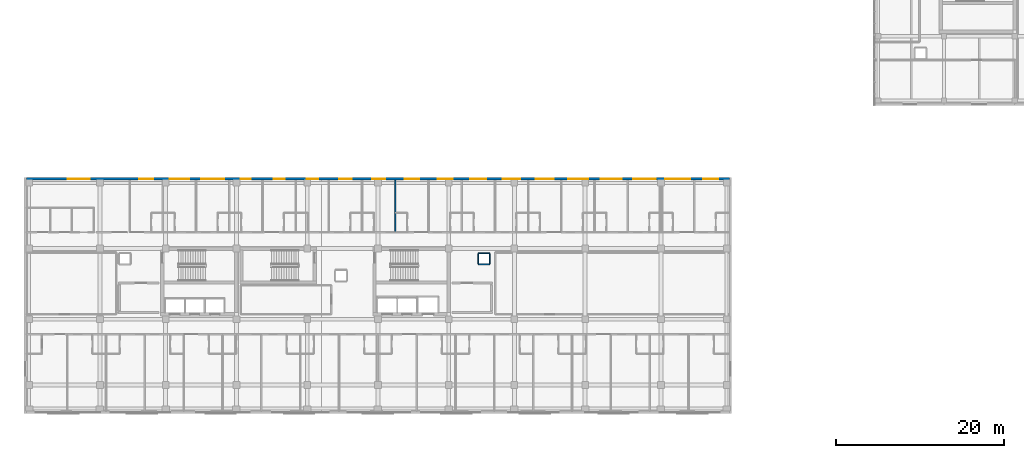
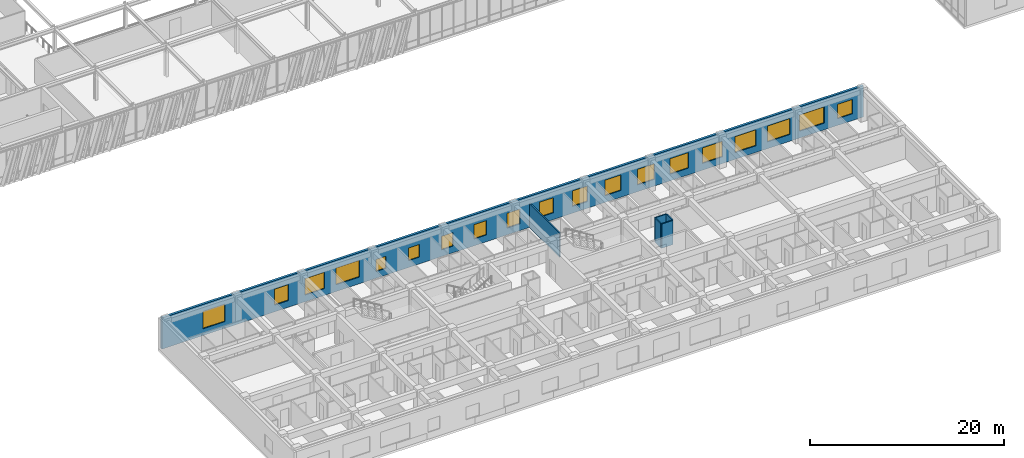
# One storey, part 108 of 123: 19 windows, 6 walls, 19 openings.
"""IFC4 building model written with IfcOpenShell, lengths in metres."""

from ifc_helpers import new_model, si_unit, direction, frame, frame_2d, origin, place, context, subcontext, project, spatial, rectangle, extrude, material, layer, layer_set, type_object, element, fill, save


model = new_model("IFC4")

# Units and contexts
model_context = context("Model", 3, precision=1e-05, world=origin(), true_north=direction((0.0, 1.0)))
body_context = subcontext(model_context, "Body", "Model", "MODEL_VIEW")
ifc_project = project(units=[si_unit("LENGTHUNIT", "METRE"), si_unit("AREAUNIT", "SQUARE_METRE"), si_unit("VOLUMEUNIT", "CUBIC_METRE"), si_unit("PLANEANGLEUNIT", "RADIAN"), si_unit("MASSUNIT", "GRAM", prefix="KILO")], contexts=[model_context])

# Site, building, storey
site_placement = place(None, origin())
site = spatial("IfcSite", under=ifc_project, at=site_placement, CompositionType="ELEMENT")
building_placement = place(site_placement, origin())
building = spatial("IfcBuilding", under=site, at=building_placement, Name="Zayran Congress Hotel", CompositionType="ELEMENT")
storey_placement = place(building_placement, frame((0.0, 0.0, 15.0)))
storey = spatial("IfcBuildingStorey", under=building, at=storey_placement, Name="L03", CompositionType="ELEMENT", Elevation=15.0)

# Wall, openings, windows
ifc_material_1 = material(Name="Hajar Ma'ani limestone cavity wall and concrete C32/40", Category="masonry")
ifc_layer_1 = layer(ifc_material_1, 0.280029296875)
ifc_layer_set_1 = layer_set([ifc_layer_1], Name="Hajar Ma'ani limestone cavity wall and concrete C32/40")
wall_type_1 = type_object("IfcWallType", Name="WL-EX-280", PredefinedType="SOLIDWALL", material=ifc_layer_set_1)
wall_1_placement = place(storey_placement, frame((8.679931640625, 33.860107421875, 0.0), z_axis=(0.0, 0.0, 1.0), x_axis=(1.0, 0.0, 0.0)))
wall_1 = element("IfcWall", 1, at=wall_1_placement, inside=storey, type_object=wall_type_1, Name="EW-V5-N-L03", PredefinedType="SOLIDWALL", context=body_context, shape_type="SweptSolid", body=[
    extrude(rectangle(XDim=83.440185546875, YDim=0.280029296875, at=frame_2d((41.72021484375, 0.0))), origin(), (0.0, 0.0, 1.0), 3.919921875),
])
opening_1_placement = place(wall_1_placement, frame((4.89501953125, 0.0, 0.85009765625)))
opening_1 = element("IfcOpeningElement", 2, at=opening_1_placement, cuts=wall_1, Name="Opening WN-19", PredefinedType="OPENING", context=body_context, shape_type="SweptSolid", body=[
    extrude(rectangle(XDim=2.60009765625, YDim=2.199951171875, at=frame_2d((1.300048828125, 1.10009765625))), frame((0.0, 0.14990234375, 0.0), z_axis=(0.0, -1.0, 0.0), x_axis=(1.0, 0.0, 0.0)), (0.0, 0.0, 1.0), 0.300048828125),
])
opening_2_placement = place(wall_1_placement, frame((13.37109375, 0.0, 0.85009765625)))
opening_2 = element("IfcOpeningElement", 3, at=opening_2_placement, cuts=wall_1, Name="Opening WN-27", PredefinedType="OPENING", context=body_context, shape_type="SweptSolid", body=[
    extrude(rectangle(XDim=1.699951171875, YDim=2.0, at=frame_2d((0.85009765625, 1.0))), frame((0.0, 0.14990234375, 0.0), z_axis=(0.0, -1.0, 0.0), x_axis=(1.0, 0.0, 0.0)), (0.0, 0.0, 1.0), 0.300048828125),
])
opening_3_placement = place(wall_1_placement, frame((17.014892578125, 0.0, 0.85009765625)))
opening_3 = element("IfcOpeningElement", 4, at=opening_3_placement, cuts=wall_1, Name="Opening WN-28", PredefinedType="OPENING", context=body_context, shape_type="SweptSolid", body=[
    extrude(rectangle(XDim=2.300048828125, YDim=2.050048828125, at=frame_2d((1.14990234375, 1.02490234375))), frame((0.0, 0.14990234375, 0.0), z_axis=(0.0, -1.0, 0.0), x_axis=(1.0, 0.0, 0.0)), (0.0, 0.0, 1.0), 0.300048828125),
])
opening_4_placement = place(wall_1_placement, frame((20.73193359375, 0.0, 0.85009765625)))
opening_4 = element("IfcOpeningElement", 5, at=opening_4_placement, cuts=wall_1, Name="Opening WN-29", PredefinedType="OPENING", context=body_context, shape_type="SweptSolid", body=[
    extrude(rectangle(XDim=2.75, YDim=2.10009765625, at=frame_2d((1.375, 1.050048828125))), frame((0.0, 0.14990234375, 0.0), z_axis=(0.0, -1.0, 0.0), x_axis=(1.0, 0.0, 0.0)), (0.0, 0.0, 1.0), 0.300048828125),
])
opening_5_placement = place(wall_1_placement, frame((25.4599609375, 0.0, 0.85009765625)))
opening_5 = element("IfcOpeningElement", 6, at=opening_5_placement, cuts=wall_1, Name="Opening WN-31", PredefinedType="OPENING", context=body_context, shape_type="SweptSolid", body=[
    extrude(rectangle(XDim=1.179931640625, YDim=1.5, at=frame_2d((0.58984375, 0.75))), frame((0.0, 0.14990234375, 0.0), z_axis=(0.0, -1.0, 0.0), x_axis=(1.0, 0.0, 0.0)), (0.0, 0.0, 1.0), 0.300048828125),
])
opening_6_placement = place(wall_1_placement, frame((29.35205078125, 0.0, 0.85009765625)))
opening_6 = element("IfcOpeningElement", 7, at=opening_6_placement, cuts=wall_1, Name="Opening WN-32", PredefinedType="OPENING", context=body_context, shape_type="SweptSolid", body=[
    extrude(rectangle(XDim=1.280029296875, YDim=1.60009765625, at=frame_2d((0.64013671875, 0.800048828125))), frame((0.0, 0.14990234375, 0.0), z_axis=(0.0, -1.0, 0.0), x_axis=(1.0, 0.0, 0.0)), (0.0, 0.0, 1.0), 0.300048828125),
])
opening_7_placement = place(wall_1_placement, frame((33.2451171875, 0.0, 0.85009765625)))
opening_7 = element("IfcOpeningElement", 8, at=opening_7_placement, cuts=wall_1, Name="Opening WN-33", PredefinedType="OPENING", context=body_context, shape_type="SweptSolid", body=[
    extrude(rectangle(XDim=1.3798828125, YDim=1.699951171875, at=frame_2d((0.68994140625, 0.85009765625))), frame((0.0, 0.14990234375, 0.0), z_axis=(0.0, -1.0, 0.0), x_axis=(1.0, 0.0, 0.0)), (0.0, 0.0, 1.0), 0.300048828125),
])
opening_8_placement = place(wall_1_placement, frame((37.137939453125, 0.0, 0.85009765625)))
opening_8 = element("IfcOpeningElement", 9, at=opening_8_placement, cuts=wall_1, Name="Opening WN-34", PredefinedType="OPENING", context=body_context, shape_type="SweptSolid", body=[
    extrude(rectangle(XDim=1.47998046875, YDim=1.800048828125, at=frame_2d((0.739990234375, 0.89990234375))), frame((0.0, 0.14990234375, 0.0), z_axis=(0.0, -1.0, 0.0), x_axis=(1.0, 0.0, 0.0)), (0.0, 0.0, 1.0), 0.300048828125),
])
opening_9_placement = place(wall_1_placement, frame((41.031005859375, 0.0, 0.85009765625)))
opening_9 = element("IfcOpeningElement", 10, at=opening_9_placement, cuts=wall_1, Name="Opening WN-35", PredefinedType="OPENING", context=body_context, shape_type="SweptSolid", body=[
    extrude(rectangle(XDim=1.580078125, YDim=1.85009765625, at=frame_2d((0.7900390625, 0.925048828125))), frame((0.0, 0.14990234375, 0.0), z_axis=(0.0, -1.0, 0.0), x_axis=(1.0, 0.0, 0.0)), (0.0, 0.0, 1.0), 0.300048828125),
])
opening_10_placement = place(wall_1_placement, frame((44.923095703125, 0.0, 0.85009765625)))
opening_10 = element("IfcOpeningElement", 11, at=opening_10_placement, cuts=wall_1, Name="Opening WN-36", PredefinedType="OPENING", context=body_context, shape_type="SweptSolid", body=[
    extrude(rectangle(XDim=1.679931640625, YDim=1.89990234375, at=frame_2d((0.83984375, 0.949951171875))), frame((0.0, 0.14990234375, 0.0), z_axis=(0.0, -1.0, 0.0), x_axis=(1.0, 0.0, 0.0)), (0.0, 0.0, 1.0), 0.300048828125),
])
opening_11_placement = place(wall_1_placement, frame((48.81591796875, 0.0, 0.85009765625)))
opening_11 = element("IfcOpeningElement", 12, at=opening_11_placement, cuts=wall_1, Name="Opening WN-37", PredefinedType="OPENING", context=body_context, shape_type="SweptSolid", body=[
    extrude(rectangle(XDim=1.780029296875, YDim=1.949951171875, at=frame_2d((0.89013671875, 0.97509765625))), frame((0.0, 0.14990234375, 0.0), z_axis=(0.0, -1.0, 0.0), x_axis=(1.0, 0.0, 0.0)), (0.0, 0.0, 1.0), 0.300048828125),
])
opening_12_placement = place(wall_1_placement, frame((52.7099609375, 0.0, 0.85009765625)))
opening_12 = element("IfcOpeningElement", 13, at=opening_12_placement, cuts=wall_1, Name="Opening WN-38", PredefinedType="OPENING", context=body_context, shape_type="SweptSolid", body=[
    extrude(rectangle(XDim=1.8798828125, YDim=1.949951171875, at=frame_2d((0.93994140625, 0.97509765625))), frame((0.0, 0.14990234375, 0.0), z_axis=(0.0, -1.0, 0.0), x_axis=(1.0, 0.0, 0.0)), (0.0, 0.0, 1.0), 0.300048828125),
])
opening_13_placement = place(wall_1_placement, frame((56.56689453125, 0.0, 0.85009765625)))
opening_13 = element("IfcOpeningElement", 14, at=opening_13_placement, cuts=wall_1, Name="Opening WN-39", PredefinedType="OPENING", context=body_context, shape_type="SweptSolid", body=[
    extrude(rectangle(XDim=2.050048828125, YDim=1.949951171875, at=frame_2d((1.02490234375, 0.97509765625))), frame((0.0, 0.14990234375, 0.0), z_axis=(0.0, -1.0, 0.0), x_axis=(1.0, 0.0, 0.0)), (0.0, 0.0, 1.0), 0.300048828125),
])
opening_14_placement = place(wall_1_placement, frame((60.444091796875, 0.0, 0.85009765625)))
opening_14 = element("IfcOpeningElement", 15, at=opening_14_placement, cuts=wall_1, Name="Opening WN-40", PredefinedType="OPENING", context=body_context, shape_type="SweptSolid", body=[
    extrude(rectangle(XDim=2.179931640625, YDim=1.949951171875, at=frame_2d((1.08984375, 0.97509765625))), frame((0.0, 0.14990234375, 0.0), z_axis=(0.0, -1.0, 0.0), x_axis=(1.0, 0.0, 0.0)), (0.0, 0.0, 1.0), 0.300048828125),
])
opening_15_placement = place(wall_1_placement, frame((64.287109375, 0.0, 0.85009765625)))
opening_15 = element("IfcOpeningElement", 16, at=opening_15_placement, cuts=wall_1, Name="Opening WN-41", PredefinedType="OPENING", context=body_context, shape_type="SweptSolid", body=[
    extrude(rectangle(XDim=2.3798828125, YDim=1.949951171875, at=frame_2d((1.18994140625, 0.97509765625))), frame((0.0, 0.14990234375, 0.0), z_axis=(0.0, -1.0, 0.0), x_axis=(1.0, 0.0, 0.0)), (0.0, 0.0, 1.0), 0.300048828125),
])
opening_16_placement = place(wall_1_placement, frame((68.180908203125, 0.0, 0.85009765625)))
opening_16 = element("IfcOpeningElement", 17, at=opening_16_placement, cuts=wall_1, Name="Opening WN-42", PredefinedType="OPENING", context=body_context, shape_type="SweptSolid", body=[
    extrude(rectangle(XDim=2.47998046875, YDim=2.0, at=frame_2d((1.239990234375, 1.0))), frame((0.0, 0.14990234375, 0.0), z_axis=(0.0, -1.0, 0.0), x_axis=(1.0, 0.0, 0.0)), (0.0, 0.0, 1.0), 0.300048828125),
])
opening_17_placement = place(wall_1_placement, frame((72.0380859375, 0.0, 0.85009765625)))
opening_17 = element("IfcOpeningElement", 18, at=opening_17_placement, cuts=wall_1, Name="Opening WN-43", PredefinedType="OPENING", context=body_context, shape_type="SweptSolid", body=[
    extrude(rectangle(XDim=2.64990234375, YDim=2.0, at=frame_2d((1.324951171875, 1.0))), frame((0.0, 0.14990234375, 0.0), z_axis=(0.0, -1.0, 0.0), x_axis=(1.0, 0.0, 0.0)), (0.0, 0.0, 1.0), 0.300048828125),
])
opening_18_placement = place(wall_1_placement, frame((75.8310546875, 0.0, 0.85009765625)))
opening_18 = element("IfcOpeningElement", 19, at=opening_18_placement, cuts=wall_1, Name="Opening WN-44", PredefinedType="OPENING", context=body_context, shape_type="SweptSolid", body=[
    extrude(rectangle(XDim=2.949951171875, YDim=2.050048828125, at=frame_2d((1.47509765625, 1.02490234375))), frame((0.0, 0.14990234375, 0.0), z_axis=(0.0, -1.0, 0.0), x_axis=(1.0, 0.0, 0.0)), (0.0, 0.0, 1.0), 0.300048828125),
])
opening_19_placement = place(wall_1_placement, frame((80.34912109375, 0.0, 0.85009765625)))
opening_19 = element("IfcOpeningElement", 20, at=opening_19_placement, cuts=wall_1, Name="Opening WN-01", PredefinedType="OPENING", context=body_context, shape_type="SweptSolid", body=[
    extrude(rectangle(XDim=1.800048828125, YDim=1.800048828125, at=frame_2d((0.89990234375, 0.89990234375))), frame((0.0, 0.14990234375, 0.0), z_axis=(0.0, -1.0, 0.0), x_axis=(1.0, 0.0, 0.0)), (0.0, 0.0, 1.0), 0.300048828125),
])
ifc_material_2 = material(Name="Anodised aluminium and low-E insulated glass", Category="aluminium")
window_type_1 = type_object("IfcWindowType", Name="TP-WN-01", PartitioningType="SINGLE_PANEL", PredefinedType="WINDOW", material=ifc_material_2)
window_1_placement = place(opening_19_placement, origin())
window_1 = element("IfcWindow", 21, at=window_1_placement, inside=storey, type_object=window_type_1, Name="WIN-V5N-L03-0266", OverallHeight=1.800048828125, OverallWidth=1.800048828125, PartitioningType="SINGLE_PANEL", PredefinedType="WINDOW", context=body_context, shape_type="SweptSolid", body=[
    extrude(rectangle(XDim=1.800048828125, YDim=1.800048828125, at=frame_2d((0.89990234375, 0.89990234375))), frame((0.0, 0.030029296875, 0.0), z_axis=(0.0, -1.0, 0.0), x_axis=(1.0, 0.0, 0.0)), (0.0, 0.0, 1.0), 0.06005859375),
])
fill(opening_19, window_1)
window_type_2 = type_object("IfcWindowType", Name="TP-WN-19", PartitioningType="DOUBLE_PANEL_VERTICAL", PredefinedType="WINDOW", material=ifc_material_2)
window_2_placement = place(opening_1_placement, origin())
window_2 = element("IfcWindow", 22, at=window_2_placement, inside=storey, type_object=window_type_2, Name="WIN-V5N-L03-0248", OverallHeight=2.199951171875, OverallWidth=2.60009765625, PartitioningType="SINGLE_PANEL", PredefinedType="WINDOW", context=body_context, shape_type="SweptSolid", body=[
    extrude(rectangle(XDim=2.60009765625, YDim=2.199951171875, at=frame_2d((1.300048828125, 1.10009765625))), frame((0.0, 0.030029296875, 0.0), z_axis=(0.0, -1.0, 0.0), x_axis=(1.0, 0.0, 0.0)), (0.0, 0.0, 1.0), 0.06005859375),
])
fill(opening_1, window_2)
window_type_3 = type_object("IfcWindowType", Name="TP-WN-27", PartitioningType="DOUBLE_PANEL_VERTICAL", PredefinedType="WINDOW", material=ifc_material_2)
window_3_placement = place(opening_2_placement, origin())
window_3 = element("IfcWindow", 23, at=window_3_placement, inside=storey, type_object=window_type_3, Name="WIN-V5N-L03-0249", OverallHeight=2.0, OverallWidth=1.699951171875, PartitioningType="SINGLE_PANEL", PredefinedType="WINDOW", context=body_context, shape_type="SweptSolid", body=[
    extrude(rectangle(XDim=1.699951171875, YDim=2.0, at=frame_2d((0.85009765625, 1.0))), frame((0.0, 0.030029296875, 0.0), z_axis=(0.0, -1.0, 0.0), x_axis=(1.0, 0.0, 0.0)), (0.0, 0.0, 1.0), 0.06005859375),
])
fill(opening_2, window_3)
window_type_4 = type_object("IfcWindowType", Name="TP-WN-28", PartitioningType="DOUBLE_PANEL_VERTICAL", PredefinedType="WINDOW", material=ifc_material_2)
window_4_placement = place(opening_3_placement, origin())
window_4 = element("IfcWindow", 24, at=window_4_placement, inside=storey, type_object=window_type_4, Name="WIN-V5N-L03-0250", OverallHeight=2.050048828125, OverallWidth=2.300048828125, PartitioningType="SINGLE_PANEL", PredefinedType="WINDOW", context=body_context, shape_type="SweptSolid", body=[
    extrude(rectangle(XDim=2.300048828125, YDim=2.050048828125, at=frame_2d((1.14990234375, 1.02490234375))), frame((0.0, 0.030029296875, 0.0), z_axis=(0.0, -1.0, 0.0), x_axis=(1.0, 0.0, 0.0)), (0.0, 0.0, 1.0), 0.06005859375),
])
fill(opening_3, window_4)
window_type_5 = type_object("IfcWindowType", Name="TP-WN-29", PartitioningType="TRIPLE_PANEL_VERTICAL", PredefinedType="WINDOW", material=ifc_material_2)
window_5_placement = place(opening_4_placement, origin())
window_5 = element("IfcWindow", 25, at=window_5_placement, inside=storey, type_object=window_type_5, Name="WIN-V5N-L03-0251", OverallHeight=2.10009765625, OverallWidth=2.75, PartitioningType="SINGLE_PANEL", PredefinedType="WINDOW", context=body_context, shape_type="SweptSolid", body=[
    extrude(rectangle(XDim=2.75, YDim=2.10009765625, at=frame_2d((1.375, 1.050048828125))), frame((0.0, 0.030029296875, 0.0), z_axis=(0.0, -1.0, 0.0), x_axis=(1.0, 0.0, 0.0)), (0.0, 0.0, 1.0), 0.06005859375),
])
fill(opening_4, window_5)
window_type_6 = type_object("IfcWindowType", Name="TP-WN-31", PartitioningType="SINGLE_PANEL", PredefinedType="WINDOW", material=ifc_material_2)
window_6_placement = place(opening_5_placement, origin())
window_6 = element("IfcWindow", 26, at=window_6_placement, inside=storey, type_object=window_type_6, Name="WIN-V5N-L03-0252", OverallHeight=1.5, OverallWidth=1.179931640625, PartitioningType="SINGLE_PANEL", PredefinedType="WINDOW", context=body_context, shape_type="SweptSolid", body=[
    extrude(rectangle(XDim=1.179931640625, YDim=1.5, at=frame_2d((0.58984375, 0.75))), frame((0.0, 0.030029296875, 0.0), z_axis=(0.0, -1.0, 0.0), x_axis=(1.0, 0.0, 0.0)), (0.0, 0.0, 1.0), 0.06005859375),
])
fill(opening_5, window_6)
window_type_7 = type_object("IfcWindowType", Name="TP-WN-32", PartitioningType="SINGLE_PANEL", PredefinedType="WINDOW", material=ifc_material_2)
window_7_placement = place(opening_6_placement, origin())
window_7 = element("IfcWindow", 27, at=window_7_placement, inside=storey, type_object=window_type_7, Name="WIN-V5N-L03-0253", OverallHeight=1.60009765625, OverallWidth=1.280029296875, PartitioningType="SINGLE_PANEL", PredefinedType="WINDOW", context=body_context, shape_type="SweptSolid", body=[
    extrude(rectangle(XDim=1.280029296875, YDim=1.60009765625, at=frame_2d((0.64013671875, 0.800048828125))), frame((0.0, 0.030029296875, 0.0), z_axis=(0.0, -1.0, 0.0), x_axis=(1.0, 0.0, 0.0)), (0.0, 0.0, 1.0), 0.06005859375),
])
fill(opening_6, window_7)
window_type_8 = type_object("IfcWindowType", Name="TP-WN-33", PartitioningType="SINGLE_PANEL", PredefinedType="WINDOW", material=ifc_material_2)
window_8_placement = place(opening_7_placement, origin())
window_8 = element("IfcWindow", 28, at=window_8_placement, inside=storey, type_object=window_type_8, Name="WIN-V5N-L03-0254", OverallHeight=1.699951171875, OverallWidth=1.3798828125, PartitioningType="SINGLE_PANEL", PredefinedType="WINDOW", context=body_context, shape_type="SweptSolid", body=[
    extrude(rectangle(XDim=1.3798828125, YDim=1.699951171875, at=frame_2d((0.68994140625, 0.85009765625))), frame((0.0, 0.030029296875, 0.0), z_axis=(0.0, -1.0, 0.0), x_axis=(1.0, 0.0, 0.0)), (0.0, 0.0, 1.0), 0.06005859375),
])
fill(opening_7, window_8)
window_type_9 = type_object("IfcWindowType", Name="TP-WN-34", PartitioningType="SINGLE_PANEL", PredefinedType="WINDOW", material=ifc_material_2)
window_9_placement = place(opening_8_placement, origin())
window_9 = element("IfcWindow", 29, at=window_9_placement, inside=storey, type_object=window_type_9, Name="WIN-V5N-L03-0255", OverallHeight=1.800048828125, OverallWidth=1.47998046875, PartitioningType="SINGLE_PANEL", PredefinedType="WINDOW", context=body_context, shape_type="SweptSolid", body=[
    extrude(rectangle(XDim=1.47998046875, YDim=1.800048828125, at=frame_2d((0.739990234375, 0.89990234375))), frame((0.0, 0.030029296875, 0.0), z_axis=(0.0, -1.0, 0.0), x_axis=(1.0, 0.0, 0.0)), (0.0, 0.0, 1.0), 0.06005859375),
])
fill(opening_8, window_9)
window_type_10 = type_object("IfcWindowType", Name="TP-WN-35", PartitioningType="DOUBLE_PANEL_VERTICAL", PredefinedType="WINDOW", material=ifc_material_2)
window_10_placement = place(opening_9_placement, origin())
window_10 = element("IfcWindow", 30, at=window_10_placement, inside=storey, type_object=window_type_10, Name="WIN-V5N-L03-0256", OverallHeight=1.85009765625, OverallWidth=1.580078125, PartitioningType="SINGLE_PANEL", PredefinedType="WINDOW", context=body_context, shape_type="SweptSolid", body=[
    extrude(rectangle(XDim=1.580078125, YDim=1.85009765625, at=frame_2d((0.7900390625, 0.925048828125))), frame((0.0, 0.030029296875, 0.0), z_axis=(0.0, -1.0, 0.0), x_axis=(1.0, 0.0, 0.0)), (0.0, 0.0, 1.0), 0.06005859375),
])
fill(opening_9, window_10)
window_type_11 = type_object("IfcWindowType", Name="TP-WN-36", PartitioningType="DOUBLE_PANEL_VERTICAL", PredefinedType="WINDOW", material=ifc_material_2)
window_11_placement = place(opening_10_placement, origin())
window_11 = element("IfcWindow", 31, at=window_11_placement, inside=storey, type_object=window_type_11, Name="WIN-V5N-L03-0257", OverallHeight=1.89990234375, OverallWidth=1.679931640625, PartitioningType="SINGLE_PANEL", PredefinedType="WINDOW", context=body_context, shape_type="SweptSolid", body=[
    extrude(rectangle(XDim=1.679931640625, YDim=1.89990234375, at=frame_2d((0.83984375, 0.949951171875))), frame((0.0, 0.030029296875, 0.0), z_axis=(0.0, -1.0, 0.0), x_axis=(1.0, 0.0, 0.0)), (0.0, 0.0, 1.0), 0.06005859375),
])
fill(opening_10, window_11)
window_type_12 = type_object("IfcWindowType", Name="TP-WN-37", PartitioningType="DOUBLE_PANEL_VERTICAL", PredefinedType="WINDOW", material=ifc_material_2)
window_12_placement = place(opening_11_placement, origin())
window_12 = element("IfcWindow", 32, at=window_12_placement, inside=storey, type_object=window_type_12, Name="WIN-V5N-L03-0258", OverallHeight=1.949951171875, OverallWidth=1.780029296875, PartitioningType="SINGLE_PANEL", PredefinedType="WINDOW", context=body_context, shape_type="SweptSolid", body=[
    extrude(rectangle(XDim=1.780029296875, YDim=1.949951171875, at=frame_2d((0.89013671875, 0.97509765625))), frame((0.0, 0.030029296875, 0.0), z_axis=(0.0, -1.0, 0.0), x_axis=(1.0, 0.0, 0.0)), (0.0, 0.0, 1.0), 0.06005859375),
])
fill(opening_11, window_12)
window_type_13 = type_object("IfcWindowType", Name="TP-WN-38", PartitioningType="DOUBLE_PANEL_VERTICAL", PredefinedType="WINDOW", material=ifc_material_2)
window_13_placement = place(opening_12_placement, origin())
window_13 = element("IfcWindow", 33, at=window_13_placement, inside=storey, type_object=window_type_13, Name="WIN-V5N-L03-0259", OverallHeight=1.949951171875, OverallWidth=1.8798828125, PartitioningType="SINGLE_PANEL", PredefinedType="WINDOW", context=body_context, shape_type="SweptSolid", body=[
    extrude(rectangle(XDim=1.8798828125, YDim=1.949951171875, at=frame_2d((0.93994140625, 0.97509765625))), frame((0.0, 0.030029296875, 0.0), z_axis=(0.0, -1.0, 0.0), x_axis=(1.0, 0.0, 0.0)), (0.0, 0.0, 1.0), 0.06005859375),
])
fill(opening_12, window_13)
window_type_14 = type_object("IfcWindowType", Name="TP-WN-39", PartitioningType="DOUBLE_PANEL_VERTICAL", PredefinedType="WINDOW", material=ifc_material_2)
window_14_placement = place(opening_13_placement, origin())
window_14 = element("IfcWindow", 34, at=window_14_placement, inside=storey, type_object=window_type_14, Name="WIN-V5N-L03-0260", OverallHeight=1.949951171875, OverallWidth=2.050048828125, PartitioningType="SINGLE_PANEL", PredefinedType="WINDOW", context=body_context, shape_type="SweptSolid", body=[
    extrude(rectangle(XDim=2.050048828125, YDim=1.949951171875, at=frame_2d((1.02490234375, 0.97509765625))), frame((0.0, 0.030029296875, 0.0), z_axis=(0.0, -1.0, 0.0), x_axis=(1.0, 0.0, 0.0)), (0.0, 0.0, 1.0), 0.06005859375),
])
fill(opening_13, window_14)
window_type_15 = type_object("IfcWindowType", Name="TP-WN-40", PartitioningType="DOUBLE_PANEL_VERTICAL", PredefinedType="WINDOW", material=ifc_material_2)
window_15_placement = place(opening_14_placement, origin())
window_15 = element("IfcWindow", 35, at=window_15_placement, inside=storey, type_object=window_type_15, Name="WIN-V5N-L03-0261", OverallHeight=1.949951171875, OverallWidth=2.179931640625, PartitioningType="SINGLE_PANEL", PredefinedType="WINDOW", context=body_context, shape_type="SweptSolid", body=[
    extrude(rectangle(XDim=2.179931640625, YDim=1.949951171875, at=frame_2d((1.08984375, 0.97509765625))), frame((0.0, 0.030029296875, 0.0), z_axis=(0.0, -1.0, 0.0), x_axis=(1.0, 0.0, 0.0)), (0.0, 0.0, 1.0), 0.06005859375),
])
fill(opening_14, window_15)
window_type_16 = type_object("IfcWindowType", Name="TP-WN-41", PartitioningType="DOUBLE_PANEL_VERTICAL", PredefinedType="WINDOW", material=ifc_material_2)
window_16_placement = place(opening_15_placement, origin())
window_16 = element("IfcWindow", 36, at=window_16_placement, inside=storey, type_object=window_type_16, Name="WIN-V5N-L03-0262", OverallHeight=1.949951171875, OverallWidth=2.3798828125, PartitioningType="SINGLE_PANEL", PredefinedType="WINDOW", context=body_context, shape_type="SweptSolid", body=[
    extrude(rectangle(XDim=2.3798828125, YDim=1.949951171875, at=frame_2d((1.18994140625, 0.97509765625))), frame((0.0, 0.030029296875, 0.0), z_axis=(0.0, -1.0, 0.0), x_axis=(1.0, 0.0, 0.0)), (0.0, 0.0, 1.0), 0.06005859375),
])
fill(opening_15, window_16)
window_type_17 = type_object("IfcWindowType", Name="TP-WN-42", PartitioningType="DOUBLE_PANEL_VERTICAL", PredefinedType="WINDOW", material=ifc_material_2)
window_17_placement = place(opening_16_placement, origin())
window_17 = element("IfcWindow", 37, at=window_17_placement, inside=storey, type_object=window_type_17, Name="WIN-V5N-L03-0263", OverallHeight=2.0, OverallWidth=2.47998046875, PartitioningType="SINGLE_PANEL", PredefinedType="WINDOW", context=body_context, shape_type="SweptSolid", body=[
    extrude(rectangle(XDim=2.47998046875, YDim=2.0, at=frame_2d((1.239990234375, 1.0))), frame((0.0, 0.030029296875, 0.0), z_axis=(0.0, -1.0, 0.0), x_axis=(1.0, 0.0, 0.0)), (0.0, 0.0, 1.0), 0.06005859375),
])
fill(opening_16, window_17)
window_type_18 = type_object("IfcWindowType", Name="TP-WN-43", PartitioningType="TRIPLE_PANEL_VERTICAL", PredefinedType="WINDOW", material=ifc_material_2)
window_18_placement = place(opening_17_placement, origin())
window_18 = element("IfcWindow", 38, at=window_18_placement, inside=storey, type_object=window_type_18, Name="WIN-V5N-L03-0264", OverallHeight=2.0, OverallWidth=2.64990234375, PartitioningType="SINGLE_PANEL", PredefinedType="WINDOW", context=body_context, shape_type="SweptSolid", body=[
    extrude(rectangle(XDim=2.64990234375, YDim=2.0, at=frame_2d((1.324951171875, 1.0))), frame((0.0, 0.030029296875, 0.0), z_axis=(0.0, -1.0, 0.0), x_axis=(1.0, 0.0, 0.0)), (0.0, 0.0, 1.0), 0.06005859375),
])
fill(opening_17, window_18)
window_type_19 = type_object("IfcWindowType", Name="TP-WN-44", PartitioningType="TRIPLE_PANEL_VERTICAL", PredefinedType="WINDOW", material=ifc_material_2)
window_19_placement = place(opening_18_placement, origin())
window_19 = element("IfcWindow", 39, at=window_19_placement, inside=storey, type_object=window_type_19, Name="WIN-V5N-L03-0265", OverallHeight=2.050048828125, OverallWidth=2.949951171875, PartitioningType="SINGLE_PANEL", PredefinedType="WINDOW", context=body_context, shape_type="SweptSolid", body=[
    extrude(rectangle(XDim=2.949951171875, YDim=2.050048828125, at=frame_2d((1.47509765625, 1.02490234375))), frame((0.0, 0.030029296875, 0.0), z_axis=(0.0, -1.0, 0.0), x_axis=(1.0, 0.0, 0.0)), (0.0, 0.0, 1.0), 0.06005859375),
])
fill(opening_18, window_19)

# Walls
ifc_material_3 = material(Name="Hospitality guestroom acoustic partition", Category="gypsum")
ifc_layer_2 = layer(ifc_material_3, 0.139892578125)
ifc_layer_set_2 = layer_set([ifc_layer_2], Name="Hospitality guestroom acoustic partition")
wall_type_2 = type_object("IfcWallType", Name="WL-PT-140", PredefinedType="PARTITIONING", material=ifc_layer_set_2)
wall_2_placement = place(storey_placement, frame((52.4619140625, 27.52001953125, 0.0), z_axis=(0.0, 0.0, 1.0), x_axis=(0.0, 1.0, 0.0)))
element("IfcWall", 40, at=wall_2_placement, inside=storey, type_object=wall_type_2, Name="IW-L03-1919", PredefinedType="PARTITIONING", context=body_context, shape_type="SweptSolid", body=[
    extrude(rectangle(XDim=6.199951171875, YDim=0.139892578125, at=frame_2d((3.10009765625, 0.0))), origin(), (0.0, 0.0, 1.0), 3.02001953125),
])
for number, where, z_axis, x_axis, name in (
    (41, (62.330078125, 23.72998046875, 0.0), (0.0, 0.0, 1.0), (1.0, 0.0, 0.0), "RSWL-V5-L03-034-S"),
    (42, (63.68994140625, 25.050048828125, 0.0), (0.0, 0.0, 1.0), (-1.0, 0.0, 0.0), "RSWL-V5-L03-034-N"),
):
    element("IfcWall", number, at=place(storey_placement, frame(where, z_axis=z_axis, x_axis=x_axis)), inside=storey, type_object=wall_type_2, Name=name, PredefinedType="PARTITIONING", context=body_context, shape_type="SweptSolid", body=[
        extrude(rectangle(XDim=1.35986328125, YDim=0.139892578125, at=frame_2d((0.679931640625, 0.0))), origin(), (0.0, 0.0, 1.0), 3.0400390625),
    ])
for number, where, z_axis, x_axis, name in (
    (43, (62.330078125, 24.97998046875, 0.0), (0.0, 0.0, 1.0), (0.0, -1.0, 0.0), "RSWL-V5-L03-034-W"),
    (44, (63.68994140625, 23.800048828125, 0.0), (0.0, 0.0, 1.0), (0.0, 1.0, 0.0), "RSWL-V5-L03-034-E"),
):
    element("IfcWall", number, at=place(storey_placement, frame(where, z_axis=z_axis, x_axis=x_axis)), inside=storey, type_object=wall_type_2, Name=name, PredefinedType="PARTITIONING", context=body_context, shape_type="SweptSolid", body=[
        extrude(rectangle(XDim=1.179931640625, YDim=0.139892578125, at=frame_2d((0.58984375, 0.0))), origin(), (0.0, 0.0, 1.0), 3.0400390625),
    ])

save(model, "model.ifc")
